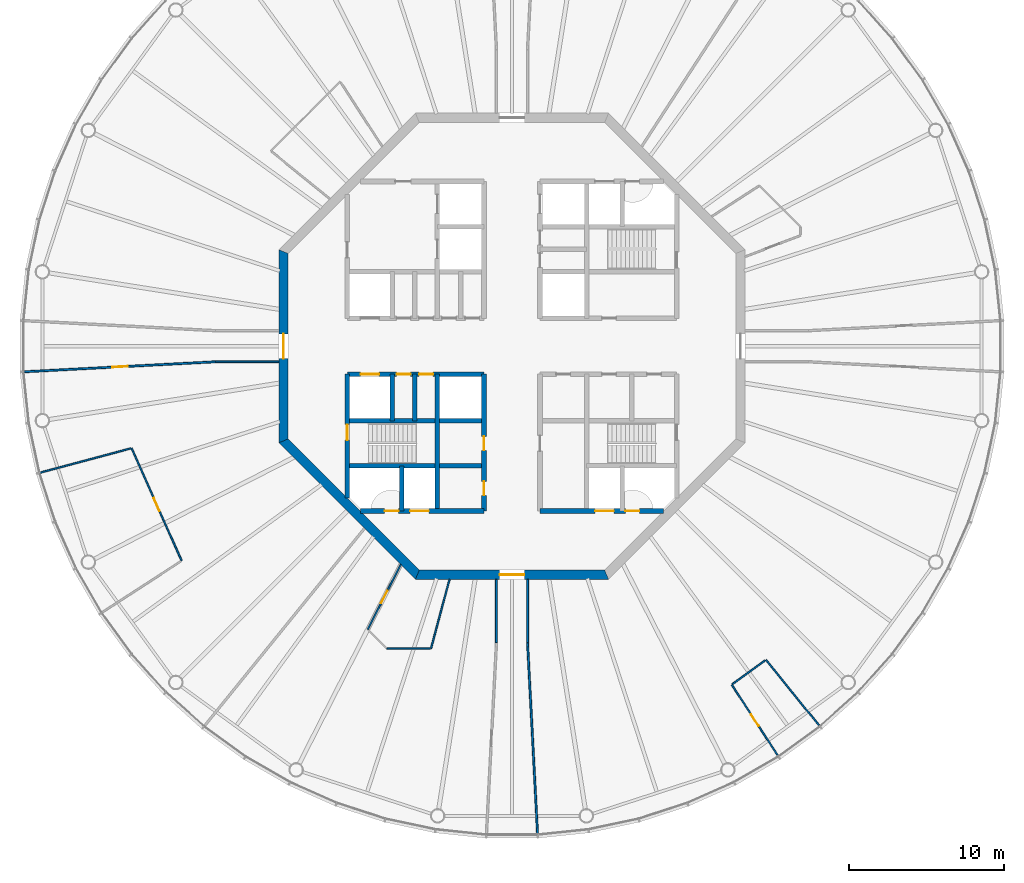
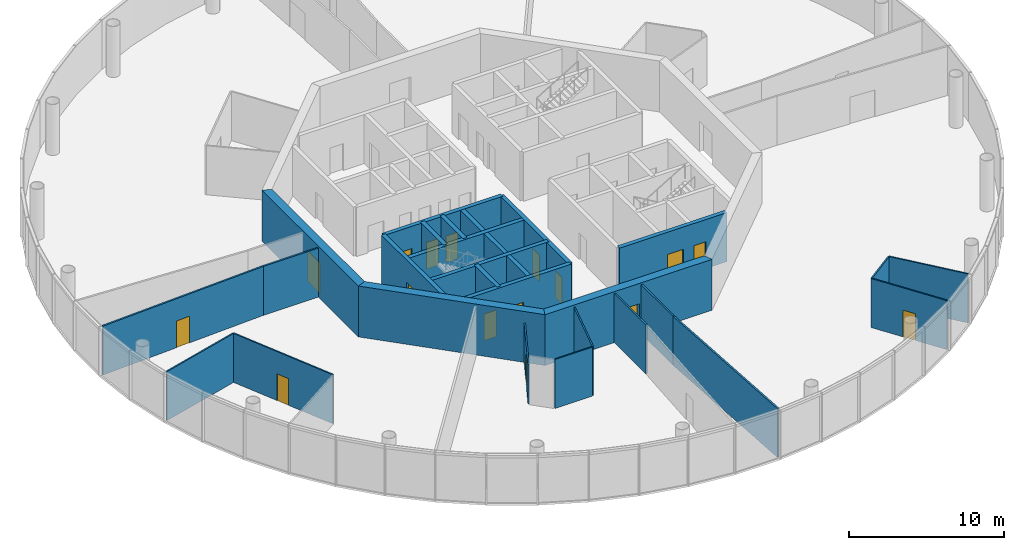
# One storey, part 3 of 13: 27 walls, 16 doors, 16 openings.
"""IFC4 building model written with IfcOpenShell, lengths in metres."""

from ifc_helpers import new_model, si_unit, direction, frame, frame_2d, origin, place, context, subcontext, project, spatial, polyline, rectangle, outline, extrude, material, layer, layer_set, type_object, element, fill, save


model = new_model("IFC4")

# Units and contexts
model_context = context("Model", 3, precision=1e-05, world=origin(), true_north=direction((0.0, 1.0)))
body_context = subcontext(model_context, "Body", "Model", "MODEL_VIEW")
ifc_project = project(units=[si_unit("LENGTHUNIT", "METRE"), si_unit("AREAUNIT", "SQUARE_METRE"), si_unit("VOLUMEUNIT", "CUBIC_METRE"), si_unit("PLANEANGLEUNIT", "RADIAN"), si_unit("MASSUNIT", "GRAM", prefix="KILO")], contexts=[model_context])

# Site, building, storey
site_placement = place(None, origin())
site = spatial("IfcSite", under=ifc_project, at=site_placement, CompositionType="ELEMENT")
building_placement = place(site_placement, origin())
building = spatial("IfcBuilding", under=site, at=building_placement, Name="Entoto Ring Tower", CompositionType="ELEMENT")
storey_placement = place(building_placement, frame((0.0, 0.0, 376.0)))
storey = spatial("IfcBuildingStorey", under=building, at=storey_placement, Name="L87", CompositionType="ELEMENT", Elevation=376.0)

# Wall, openings, doors
ifc_material_1 = material(Name="Concrete C40/50", Category="concrete")
ifc_layer_1 = layer(ifc_material_1, 0.300048828125)
ifc_layer_set_1 = layer_set([ifc_layer_1], Name="Concrete C40/50")
wall_type_1 = type_object("IfcWallType", Name="Core enclosure wall 300 mm reinforced concrete", PredefinedType="SOLIDWALL", material=ifc_layer_set_1)
wall_1_placement = place(storey_placement, frame((88.199951171875, 69.39990234375, 0.0), z_axis=(0.0, 0.0, 1.0), x_axis=(0.0, 1.0, 0.0)))
wall_1 = element("IfcWall", 1, at=wall_1_placement, inside=storey, type_object=wall_type_1, Name="wall-L87-010", PredefinedType="SOLIDWALL", context=body_context, shape_type="SweptSolid", body=[
    extrude(rectangle(XDim=8.800048828125, YDim=0.300048828125, at=frame_2d((4.39990234375, 0.0))), origin(), (0.0, 0.0, 1.0), 3.85009765625),
])
opening_1_placement = place(wall_1_placement, frame((3.89990234375, 0.0, 0.0)))
opening_1 = element("IfcOpeningElement", 2, at=opening_1_placement, cuts=wall_1, Name="Opening K-21", PredefinedType="OPENING", context=body_context, shape_type="SweptSolid", body=[
    extrude(rectangle(XDim=0.89990234375, YDim=2.10009765625, at=frame_2d((0.449951171875, 1.050048828125))), frame((0.0, 0.16015625, 0.0), z_axis=(0.0, -1.0, 0.0), x_axis=(1.0, 0.0, 0.0)), (0.0, 0.0, 1.0), 0.320068359375),
])
opening_2_placement = place(wall_1_placement, frame((1.0, 0.0, 0.0)))
opening_2 = element("IfcOpeningElement", 3, at=opening_2_placement, cuts=wall_1, Name="Opening K-69", PredefinedType="OPENING", context=body_context, shape_type="SweptSolid", body=[
    extrude(rectangle(XDim=0.89990234375, YDim=2.10009765625, at=frame_2d((0.449951171875, 1.050048828125))), frame((0.0, 0.16015625, 0.0), z_axis=(0.0, -1.0, 0.0), x_axis=(1.0, 0.0, 0.0)), (0.0, 0.0, 1.0), 0.320068359375),
])
ifc_material_2 = material(Name="Steel door leaf, fire rated", Category="steel")
ifc_layer_2 = layer(ifc_material_2, 0.050048828125)
ifc_layer_set_2 = layer_set([ifc_layer_2], Name="Steel door leaf, fire rated")
door_type_1 = type_object("IfcDoorType", Name="Core door 900 x 2100 single leaf", OperationType="NOTDEFINED", PredefinedType="DOOR", material=ifc_layer_set_2)
door_1_placement = place(opening_1_placement, origin())
door_1 = element("IfcDoor", 4, at=door_1_placement, inside=storey, type_object=door_type_1, Name="Door K-21", OperationType="SINGLE_SWING_RIGHT", OverallHeight=2.10009765625, OverallWidth=0.89990234375, PredefinedType="DOOR", context=body_context, shape_type="SweptSolid", body=[
    extrude(rectangle(XDim=0.89990234375, YDim=2.10009765625, at=frame_2d((0.449951171875, 1.050048828125))), frame((0.0, 0.02490234375, 0.0), z_axis=(0.0, -1.0, 0.0), x_axis=(1.0, 0.0, 0.0)), (0.0, 0.0, 1.0), 0.050048828125),
])
fill(opening_1, door_1)
door_2_placement = place(opening_2_placement, origin())
door_2 = element("IfcDoor", 5, at=door_2_placement, inside=storey, type_object=door_type_1, Name="Door K-69", OperationType="SINGLE_SWING_RIGHT", OverallHeight=2.10009765625, OverallWidth=0.89990234375, PredefinedType="DOOR", context=body_context, shape_type="SweptSolid", body=[
    extrude(rectangle(XDim=0.89990234375, YDim=2.10009765625, at=frame_2d((0.449951171875, 1.050048828125))), frame((0.0, 0.02490234375, 0.0), z_axis=(0.0, -1.0, 0.0), x_axis=(1.0, 0.0, 0.0)), (0.0, 0.0, 1.0), 0.050048828125),
])
fill(opening_2, door_2)

# Walls
wall_2_placement = place(storey_placement, frame((85.199951171875, 69.39990234375, 0.0), z_axis=(0.0, 0.0, 1.0), x_axis=(0.0, 1.0, 0.0)))
element("IfcWall", 6, at=wall_2_placement, inside=storey, type_object=wall_type_1, Name="wall-L87-013", PredefinedType="SOLIDWALL", context=body_context, shape_type="SweptSolid", body=[
    extrude(rectangle(XDim=8.800048828125, YDim=0.300048828125, at=frame_2d((4.39990234375, 0.0))), origin(), (0.0, 0.0, 1.0), 3.85009765625),
])
wall_3_placement = place(storey_placement, frame((83.75, 75.199951171875, 0.0), z_axis=(0.0, 0.0, 1.0), x_axis=(0.0, 1.0, 0.0)))
element("IfcWall", 7, at=wall_3_placement, inside=storey, type_object=wall_type_1, Name="wall-L87-015", PredefinedType="SOLIDWALL", context=body_context, shape_type="SweptSolid", body=[
    extrude(rectangle(XDim=3.0, YDim=0.300048828125, at=frame_2d((1.5, 0.0))), origin(), (0.0, 0.0, 1.0), 3.85009765625),
])
wall_4_placement = place(storey_placement, frame((82.89990234375, 69.39990234375, 0.0), z_axis=(0.0, 0.0, 1.0), x_axis=(0.0, 1.0, 0.0)))
element("IfcWall", 8, at=wall_4_placement, inside=storey, type_object=wall_type_1, Name="wall-L87-017", PredefinedType="SOLIDWALL", context=body_context, shape_type="SweptSolid", body=[
    extrude(rectangle(XDim=2.900146484375, YDim=0.300048828125, at=frame_2d((1.4501953125, 0.0))), origin(), (0.0, 0.0, 1.0), 3.85009765625),
])
wall_5_placement = place(storey_placement, frame((82.300048828125, 75.199951171875, 0.0), z_axis=(0.0, 0.0, 1.0), x_axis=(0.0, 1.0, 0.0)))
element("IfcWall", 9, at=wall_5_placement, inside=storey, type_object=wall_type_1, Name="wall-L87-018", PredefinedType="SOLIDWALL", context=body_context, shape_type="SweptSolid", body=[
    extrude(rectangle(XDim=3.0, YDim=0.300048828125, at=frame_2d((1.5, 0.0))), origin(), (0.0, 0.0, 1.0), 3.85009765625),
])

# Wall, opening, door
wall_6_placement = place(storey_placement, frame((79.39990234375, 70.2353515625, 0.0), z_axis=(0.0, 0.0, 1.0), x_axis=(0.0, 1.0, 0.0)))
wall_6 = element("IfcWall", 10, at=wall_6_placement, inside=storey, type_object=wall_type_1, Name="wall-L87-020", PredefinedType="SOLIDWALL", context=body_context, shape_type="SweptSolid", body=[
    extrude(rectangle(XDim=7.964599609375, YDim=0.300048828125, at=frame_2d((3.982421875, 0.0))), origin(), (0.0, 0.0, 1.0), 3.85009765625),
])
opening_3_placement = place(wall_6_placement, frame((3.714599609375, 0.0, 0.0)))
opening_3 = element("IfcOpeningElement", 11, at=opening_3_placement, cuts=wall_6, Name="Opening K-27", PredefinedType="OPENING", context=body_context, shape_type="SweptSolid", body=[
    extrude(rectangle(XDim=1.0, YDim=2.10009765625, at=frame_2d((0.5, 1.050048828125))), frame((0.0, 0.16015625, 0.0), z_axis=(0.0, -1.0, 0.0), x_axis=(1.0, 0.0, 0.0)), (0.0, 0.0, 1.0), 0.320068359375),
])
ifc_material_3 = material(Name="Steel door leaf, fire rated", Category="steel")
ifc_layer_3 = layer(ifc_material_3, 0.050048828125)
ifc_layer_set_3 = layer_set([ifc_layer_3], Name="Steel door leaf, fire rated")
door_type_2 = type_object("IfcDoorType", Name="Fire door FD60 1000 x 2100 single leaf", OperationType="NOTDEFINED", PredefinedType="DOOR", material=ifc_layer_set_3)
door_3_placement = place(opening_3_placement, frame((1.0, 0.0, 0.0), z_axis=(0.0, 0.0, 1.0), x_axis=(-1.0, 0.0, 0.0)))
door_3 = element("IfcDoor", 12, at=door_3_placement, inside=storey, type_object=door_type_2, Name="Door K-27", OperationType="SINGLE_SWING_LEFT", OverallHeight=2.10009765625, OverallWidth=1.0, PredefinedType="DOOR", context=body_context, shape_type="SweptSolid", body=[
    extrude(rectangle(XDim=1.0, YDim=2.10009765625, at=frame_2d((0.5, 1.050048828125))), frame((0.0, 0.02490234375, 0.0), z_axis=(0.0, -1.0, 0.0), x_axis=(1.0, 0.0, 0.0)), (0.0, 0.0, 1.0), 0.050048828125),
])
fill(opening_3, door_3)

# Wall, openings, doors
wall_7_placement = place(storey_placement, frame((80.2353515625, 69.39990234375, 0.0), z_axis=(0.0, 0.0, 1.0), x_axis=(1.0, 0.0, 0.0)))
wall_7 = element("IfcWall", 13, at=wall_7_placement, inside=storey, type_object=wall_type_1, Name="wall-L87-022", PredefinedType="SOLIDWALL", context=body_context, shape_type="SweptSolid", body=[
    extrude(rectangle(XDim=7.964599609375, YDim=0.300048828125, at=frame_2d((3.982421875, 0.0))), origin(), (0.0, 0.0, 1.0), 3.85009765625),
])
opening_4_placement = place(wall_7_placement, frame((3.214599609375, 0.0, 0.0)))
opening_4 = element("IfcOpeningElement", 14, at=opening_4_placement, cuts=wall_7, Name="Opening LD", PredefinedType="OPENING", context=body_context, shape_type="SweptSolid", body=[
    extrude(rectangle(XDim=1.199951171875, YDim=2.10009765625, at=frame_2d((0.60009765625, 1.050048828125))), frame((0.0, 0.16015625, 0.0), z_axis=(0.0, -1.0, 0.0), x_axis=(1.0, 0.0, 0.0)), (0.0, 0.0, 1.0), 0.320068359375),
])
opening_5_placement = place(wall_7_placement, frame((1.564697265625, 0.0, 0.0)))
opening_5 = element("IfcOpeningElement", 15, at=opening_5_placement, cuts=wall_7, Name="Opening K-84", PredefinedType="OPENING", context=body_context, shape_type="SweptSolid", body=[
    extrude(rectangle(XDim=0.89990234375, YDim=2.10009765625, at=frame_2d((0.449951171875, 1.050048828125))), frame((0.0, 0.16015625, 0.0), z_axis=(0.0, -1.0, 0.0), x_axis=(1.0, 0.0, 0.0)), (0.0, 0.0, 1.0), 0.320068359375),
])
ifc_material_4 = material(Name="Steel and glass door leaf", Category="steel")
ifc_layer_4 = layer(ifc_material_4, 0.050048828125)
ifc_layer_set_4 = layer_set([ifc_layer_4], Name="Steel and glass door leaf")
door_type_3 = type_object("IfcDoorType", Name="Landing door 1200 x 2100 sliding", OperationType="DOUBLE_DOOR_SLIDING", PredefinedType="DOOR", material=ifc_layer_set_4)
door_4_placement = place(opening_4_placement, origin())
door_4 = element("IfcDoor", 16, at=door_4_placement, inside=storey, type_object=door_type_3, Name="Landing door LB3-HR", OperationType="SLIDING_TO_RIGHT", OverallHeight=2.10009765625, OverallWidth=1.199951171875, PredefinedType="DOOR", context=body_context, shape_type="SweptSolid", body=[
    extrude(rectangle(XDim=1.199951171875, YDim=2.10009765625, at=frame_2d((0.60009765625, 1.050048828125))), frame((0.0, 0.02490234375, 0.0), z_axis=(0.0, -1.0, 0.0), x_axis=(1.0, 0.0, 0.0)), (0.0, 0.0, 1.0), 0.050048828125),
])
fill(opening_4, door_4)
ifc_material_5 = material(Name="Steel door leaf, fire rated", Category="steel")
ifc_layer_5 = layer(ifc_material_5, 0.050048828125)
ifc_layer_set_5 = layer_set([ifc_layer_5], Name="Steel door leaf, fire rated")
door_type_4 = type_object("IfcDoorType", Name="Riser door FD60 900 x 2100 single leaf", OperationType="NOTDEFINED", PredefinedType="DOOR", material=ifc_layer_set_5)
door_5_placement = place(opening_5_placement, origin())
door_5 = element("IfcDoor", 17, at=door_5_placement, inside=storey, type_object=door_type_4, Name="Door K-84", OperationType="SINGLE_SWING_RIGHT", OverallHeight=2.10009765625, OverallWidth=0.89990234375, PredefinedType="DOOR", context=body_context, shape_type="SweptSolid", body=[
    extrude(rectangle(XDim=0.89990234375, YDim=2.10009765625, at=frame_2d((0.449951171875, 1.050048828125))), frame((0.0, 0.02490234375, 0.0), z_axis=(0.0, -1.0, 0.0), x_axis=(1.0, 0.0, 0.0)), (0.0, 0.0, 1.0), 0.050048828125),
])
fill(opening_5, door_5)

wall_8_placement = place(storey_placement, frame((91.800048828125, 69.39990234375, 0.0), z_axis=(0.0, 0.0, 1.0), x_axis=(1.0, 0.0, 0.0)))
wall_8 = element("IfcWall", 18, at=wall_8_placement, inside=storey, type_object=wall_type_1, Name="wall-L87-023", PredefinedType="SOLIDWALL", context=body_context, shape_type="SweptSolid", body=[
    extrude(rectangle(XDim=7.964599609375, YDim=0.300048828125, at=frame_2d((3.982421875, 0.0))), origin(), (0.0, 0.0, 1.0), 3.85009765625),
])
opening_6_placement = place(wall_8_placement, frame((3.550048828125, 0.0, 0.0)))
opening_6 = element("IfcOpeningElement", 19, at=opening_6_placement, cuts=wall_8, Name="Opening LD", PredefinedType="OPENING", context=body_context, shape_type="SweptSolid", body=[
    extrude(rectangle(XDim=1.199951171875, YDim=2.10009765625, at=frame_2d((0.60009765625, 1.050048828125))), frame((0.0, 0.16015625, 0.0), z_axis=(0.0, -1.0, 0.0), x_axis=(1.0, 0.0, 0.0)), (0.0, 0.0, 1.0), 0.320068359375),
])
opening_7_placement = place(wall_8_placement, frame((5.5, 0.0, 0.0)))
opening_7 = element("IfcOpeningElement", 20, at=opening_7_placement, cuts=wall_8, Name="Opening K-85", PredefinedType="OPENING", context=body_context, shape_type="SweptSolid", body=[
    extrude(rectangle(XDim=0.89990234375, YDim=2.10009765625, at=frame_2d((0.449951171875, 1.050048828125))), frame((0.0, 0.16015625, 0.0), z_axis=(0.0, -1.0, 0.0), x_axis=(1.0, 0.0, 0.0)), (0.0, 0.0, 1.0), 0.320068359375),
])
door_6_placement = place(opening_6_placement, origin())
door_6 = element("IfcDoor", 21, at=door_6_placement, inside=storey, type_object=door_type_3, Name="Landing door LB2-HR", OperationType="SLIDING_TO_RIGHT", OverallHeight=2.10009765625, OverallWidth=1.199951171875, PredefinedType="DOOR", context=body_context, shape_type="SweptSolid", body=[
    extrude(rectangle(XDim=1.199951171875, YDim=2.10009765625, at=frame_2d((0.60009765625, 1.050048828125))), frame((0.0, 0.02490234375, 0.0), z_axis=(0.0, -1.0, 0.0), x_axis=(1.0, 0.0, 0.0)), (0.0, 0.0, 1.0), 0.050048828125),
])
fill(opening_6, door_6)
door_7_placement = place(opening_7_placement, origin())
door_7 = element("IfcDoor", 22, at=door_7_placement, inside=storey, type_object=door_type_4, Name="Door K-85", OperationType="SINGLE_SWING_LEFT", OverallHeight=2.10009765625, OverallWidth=0.89990234375, PredefinedType="DOOR", context=body_context, shape_type="SweptSolid", body=[
    extrude(rectangle(XDim=0.89990234375, YDim=2.10009765625, at=frame_2d((0.449951171875, 1.050048828125))), frame((0.0, 0.02490234375, 0.0), z_axis=(0.0, -1.0, 0.0), x_axis=(1.0, 0.0, 0.0)), (0.0, 0.0, 1.0), 0.050048828125),
])
fill(opening_7, door_7)

# Walls
for number, where, z_axis, x_axis, name in (
    (23, (79.39990234375, 72.300048828125, 0.0), (0.0, 0.0, 1.0), (1.0, 0.0, 0.0), "wall-L87-024"),
    (24, (79.39990234375, 75.199951171875, 0.0), (0.0, 0.0, 1.0), (1.0, 0.0, 0.0), "wall-L87-026"),
):
    element("IfcWall", number, at=place(storey_placement, frame(where, z_axis=z_axis, x_axis=x_axis)), inside=storey, type_object=wall_type_1, Name=name, PredefinedType="SOLIDWALL", context=body_context, shape_type="SweptSolid", body=[
        extrude(rectangle(XDim=8.800048828125, YDim=0.300048828125, at=frame_2d((4.39990234375, 0.0))), origin(), (0.0, 0.0, 1.0), 3.85009765625),
    ])

# Wall, openings, doors
wall_9_placement = place(storey_placement, frame((79.39990234375, 78.199951171875, 0.0), z_axis=(0.0, 0.0, 1.0), x_axis=(1.0, 0.0, 0.0)))
wall_9 = element("IfcWall", 25, at=wall_9_placement, inside=storey, type_object=wall_type_1, Name="wall-L87-028", PredefinedType="SOLIDWALL", context=body_context, shape_type="SweptSolid", body=[
    extrude(rectangle(XDim=8.800048828125, YDim=0.300048828125, at=frame_2d((4.39990234375, 0.0))), origin(), (0.0, 0.0, 1.0), 3.85009765625),
])
opening_8_placement = place(wall_9_placement, frame((0.85009765625, 0.0, 0.0)))
opening_8 = element("IfcOpeningElement", 26, at=opening_8_placement, cuts=wall_9, Name="Opening LD", PredefinedType="OPENING", context=body_context, shape_type="SweptSolid", body=[
    extrude(rectangle(XDim=1.199951171875, YDim=2.10009765625, at=frame_2d((0.60009765625, 1.050048828125))), frame((0.0, 0.16015625, 0.0), z_axis=(0.0, -1.0, 0.0), x_axis=(1.0, 0.0, 0.0)), (0.0, 0.0, 1.0), 0.320068359375),
])
opening_9_placement = place(wall_9_placement, frame((3.175048828125, 0.0, 0.0)))
opening_9 = element("IfcOpeningElement", 27, at=opening_9_placement, cuts=wall_9, Name="Opening K-16", PredefinedType="OPENING", context=body_context, shape_type="SweptSolid", body=[
    extrude(rectangle(XDim=0.89990234375, YDim=2.10009765625, at=frame_2d((0.449951171875, 1.050048828125))), frame((0.0, 0.16015625, 0.0), z_axis=(0.0, -1.0, 0.0), x_axis=(1.0, 0.0, 0.0)), (0.0, 0.0, 1.0), 0.320068359375),
])
opening_10_placement = place(wall_9_placement, frame((4.625, 0.0, 0.0)))
opening_10 = element("IfcOpeningElement", 28, at=opening_10_placement, cuts=wall_9, Name="Opening K-57", PredefinedType="OPENING", context=body_context, shape_type="SweptSolid", body=[
    extrude(rectangle(XDim=0.89990234375, YDim=2.10009765625, at=frame_2d((0.449951171875, 1.050048828125))), frame((0.0, 0.16015625, 0.0), z_axis=(0.0, -1.0, 0.0), x_axis=(1.0, 0.0, 0.0)), (0.0, 0.0, 1.0), 0.320068359375),
])
door_8_placement = place(opening_9_placement, frame((0.89990234375, 0.0, 0.0), z_axis=(0.0, 0.0, 1.0), x_axis=(-1.0, 0.0, 0.0)))
door_8 = element("IfcDoor", 29, at=door_8_placement, inside=storey, type_object=door_type_1, Name="Door K-16", OperationType="SINGLE_SWING_LEFT", OverallHeight=2.10009765625, OverallWidth=0.89990234375, PredefinedType="DOOR", context=body_context, shape_type="SweptSolid", body=[
    extrude(rectangle(XDim=0.89990234375, YDim=2.10009765625, at=frame_2d((0.449951171875, 1.050048828125))), frame((0.0, 0.02490234375, 0.0), z_axis=(0.0, -1.0, 0.0), x_axis=(1.0, 0.0, 0.0)), (0.0, 0.0, 1.0), 0.050048828125),
])
fill(opening_9, door_8)
door_9_placement = place(opening_10_placement, frame((0.89990234375, 0.0, 0.0), z_axis=(0.0, 0.0, 1.0), x_axis=(-1.0, 0.0, 0.0)))
door_9 = element("IfcDoor", 30, at=door_9_placement, inside=storey, type_object=door_type_1, Name="Door K-57", OperationType="SINGLE_SWING_LEFT", OverallHeight=2.10009765625, OverallWidth=0.89990234375, PredefinedType="DOOR", context=body_context, shape_type="SweptSolid", body=[
    extrude(rectangle(XDim=0.89990234375, YDim=2.10009765625, at=frame_2d((0.449951171875, 1.050048828125))), frame((0.0, 0.02490234375, 0.0), z_axis=(0.0, -1.0, 0.0), x_axis=(1.0, 0.0, 0.0)), (0.0, 0.0, 1.0), 0.050048828125),
])
fill(opening_10, door_9)
door_10_placement = place(opening_8_placement, origin())
door_10 = element("IfcDoor", 31, at=door_10_placement, inside=storey, type_object=door_type_3, Name="Landing door SH2", OperationType="SLIDING_TO_RIGHT", OverallHeight=2.10009765625, OverallWidth=1.199951171875, PredefinedType="DOOR", context=body_context, shape_type="SweptSolid", body=[
    extrude(rectangle(XDim=1.199951171875, YDim=2.10009765625, at=frame_2d((0.60009765625, 1.050048828125))), frame((0.0, 0.02490234375, 0.0), z_axis=(0.0, -1.0, 0.0), x_axis=(1.0, 0.0, 0.0)), (0.0, 0.0, 1.0), 0.050048828125),
])
fill(opening_8, door_10)

# Wall, opening, door
ifc_material_6 = material(Name="Concrete C40/50", Category="concrete")
ifc_layer_6 = layer(ifc_material_6, 0.60009765625)
ifc_layer_set_6 = layer_set([ifc_layer_6], Name="Concrete C40/50")
wall_type_2 = type_object("IfcWallType", Name="Core shear wall 600 mm reinforced concrete C40/50", PredefinedType="SHEAR", material=ifc_layer_set_6)
wall_10_placement = place(storey_placement, frame((75.300048828125, 86.0888671875, 0.0), z_axis=(0.0, 0.0, 1.0), x_axis=(0.0, -1.0, 0.0)))
wall_10 = element("IfcWall", 32, at=wall_10_placement, inside=storey, type_object=wall_type_2, Name="wall-L87-core-4", PredefinedType="SHEAR", context=body_context, shape_type="SweptSolid", body=[
    extrude(outline(polyline([(-0.124267578125, -0.300048828125), (12.302001953125, -0.300048828125), (12.053466796875, 0.300048828125), (0.124267578125, 0.300048828125), (-0.124267578125, -0.300048828125)])), origin(), (0.0, 0.0, 1.0), 4.0),
])
opening_11_placement = place(wall_10_placement, frame((5.288818359375, 0.0, 0.0)))
opening_11 = element("IfcOpeningElement", 33, at=opening_11_placement, cuts=wall_10, Name="Opening K-03", PredefinedType="OPENING", context=body_context, shape_type="SweptSolid", body=[
    extrude(rectangle(XDim=1.60009765625, YDim=2.39990234375, at=frame_2d((0.800048828125, 1.199951171875))), frame((0.0, 0.31005859375, 0.0), z_axis=(0.0, -1.0, 0.0), x_axis=(1.0, 0.0, 0.0)), (0.0, 0.0, 1.0), 0.6201171875),
])
ifc_material_7 = material(Name="Steel door leaf, fire rated", Category="steel")
ifc_layer_7 = layer(ifc_material_7, 0.050048828125)
ifc_layer_set_7 = layer_set([ifc_layer_7], Name="Steel door leaf, fire rated")
door_type_5 = type_object("IfcDoorType", Name="Entrance door FD60 1600 x 2400 double leaf", OperationType="DOUBLE_DOOR_SINGLE_SWING", PredefinedType="DOOR", material=ifc_layer_set_7)
door_11_placement = place(opening_11_placement, origin())
door_11 = element("IfcDoor", 34, at=door_11_placement, inside=storey, type_object=door_type_5, Name="Entrance door K-03", OperationType="DOUBLE_DOOR_SINGLE_SWING", OverallHeight=2.39990234375, OverallWidth=1.60009765625, PredefinedType="DOOR", context=body_context, shape_type="SweptSolid", body=[
    extrude(rectangle(XDim=1.60009765625, YDim=2.39990234375, at=frame_2d((0.800048828125, 1.199951171875))), frame((0.0, 0.02490234375, 0.0), z_axis=(0.0, -1.0, 0.0), x_axis=(1.0, 0.0, 0.0)), (0.0, 0.0, 1.0), 0.050048828125),
])
fill(opening_11, door_11)

# Wall
wall_11_placement = place(storey_placement, frame((75.300048828125, 73.9111328125, 0.0), z_axis=(0.0, 0.0, 1.0), x_axis=(0.707106781187, -0.707106781187, 0.0)))
element("IfcWall", 35, at=wall_11_placement, inside=storey, type_object=wall_type_2, Name="wall-L87-core-5", PredefinedType="SHEAR", context=body_context, shape_type="SweptSolid", body=[
    extrude(outline(polyline([(-0.124267578125, -0.300048828125), (12.30224609375, -0.300048828125), (12.0537109375, 0.300048828125), (0.124267578125, 0.300048828125), (-0.124267578125, -0.300048828125)])), origin(), (0.0, 0.0, 1.0), 4.0),
])

# Wall, opening, door
wall_12_placement = place(storey_placement, frame((83.9111328125, 65.300048828125, 0.0), z_axis=(0.0, 0.0, 1.0), x_axis=(1.0, 0.0, 0.0)))
wall_12 = element("IfcWall", 36, at=wall_12_placement, inside=storey, type_object=wall_type_2, Name="wall-L87-core-6", PredefinedType="SHEAR", context=body_context, shape_type="SweptSolid", body=[
    extrude(outline(polyline([(-0.124267578125, -0.300048828125), (12.302001953125, -0.300048828125), (12.053466796875, 0.300048828125), (0.124267578125, 0.300048828125), (-0.124267578125, -0.300048828125)])), origin(), (0.0, 0.0, 1.0), 4.0),
])
opening_12_placement = place(wall_12_placement, frame((5.288818359375, 0.0, 0.0)))
opening_12 = element("IfcOpeningElement", 37, at=opening_12_placement, cuts=wall_12, Name="Opening K-04", PredefinedType="OPENING", context=body_context, shape_type="SweptSolid", body=[
    extrude(rectangle(XDim=1.60009765625, YDim=2.39990234375, at=frame_2d((0.800048828125, 1.199951171875))), frame((0.0, 0.31005859375, 0.0), z_axis=(0.0, -1.0, 0.0), x_axis=(1.0, 0.0, 0.0)), (0.0, 0.0, 1.0), 0.6201171875),
])
door_12_placement = place(opening_12_placement, origin())
door_12 = element("IfcDoor", 38, at=door_12_placement, inside=storey, type_object=door_type_5, Name="Entrance door K-04", OperationType="DOUBLE_DOOR_SINGLE_SWING", OverallHeight=2.39990234375, OverallWidth=1.60009765625, PredefinedType="DOOR", context=body_context, shape_type="SweptSolid", body=[
    extrude(rectangle(XDim=1.60009765625, YDim=2.39990234375, at=frame_2d((0.800048828125, 1.199951171875))), frame((0.0, 0.02490234375, 0.0), z_axis=(0.0, -1.0, 0.0), x_axis=(1.0, 0.0, 0.0)), (0.0, 0.0, 1.0), 0.050048828125),
])
fill(opening_12, door_12)

ifc_material_8 = material(Name="Fire-resisting plasterboard on steel studs", Category="steel")
ifc_layer_8 = layer(ifc_material_8, 0.125)
ifc_layer_set_8 = layer_set([ifc_layer_8], Name="Fire-resisting plasterboard on steel studs")
wall_type_3 = type_object("IfcWallType", Name="Corridor wall 125 mm one-hour plasterboard on steel studs", PredefinedType="PARTITIONING", material=ifc_layer_set_8)
wall_13_placement = place(storey_placement, frame((58.60302734375, 78.3544921875, 0.0), z_axis=(0.0, 0.0, 1.0), x_axis=(0.998629289366, 0.052340638328, 0.0)))
wall_13 = element("IfcWall", 39, at=wall_13_placement, inside=storey, type_object=wall_type_3, Name="partition-L87-001", PredefinedType="PARTITIONING", context=body_context, shape_type="SweptSolid", body=[
    extrude(rectangle(XDim=12.332763671875, YDim=0.125, at=frame_2d((6.16650390625, 0.0))), origin(), (0.0, 0.0, 1.0), 3.85009765625),
])
opening_13_placement = place(wall_13_placement, frame((5.666259765625, 0.0, 0.0)))
opening_13 = element("IfcOpeningElement", 40, at=opening_13_placement, cuts=wall_13, Name="Opening A37-D06", PredefinedType="OPENING", context=body_context, shape_type="SweptSolid", body=[
    extrude(rectangle(XDim=1.0, YDim=2.10009765625, at=frame_2d((0.5, 1.050048828125))), frame((0.0, 0.072509765625, 0.0), z_axis=(0.0, -1.0, 0.0), x_axis=(1.0, 0.0, 0.0)), (0.0, 0.0, 1.0), 0.14501953125),
])
ifc_material_9 = material(Name="Fire-resisting timber door set", Category="wood")
door_type_6 = type_object("IfcDoorType", Name="Door 1000 x 2100 single leaf FD30S fire door", OperationType="NOTDEFINED", PredefinedType="DOOR", material=ifc_material_9)
door_13_placement = place(opening_13_placement, frame((1.0, 0.0, 0.0), z_axis=(0.0, 0.0, 1.0), x_axis=(-1.0, 0.0, 0.0)))
door_13 = element("IfcDoor", 41, at=door_13_placement, inside=storey, type_object=door_type_6, Name="Door A37-D06", OperationType="SINGLE_SWING_RIGHT", OverallHeight=2.10009765625, OverallWidth=1.0, PredefinedType="DOOR", context=body_context, shape_type="SweptSolid", body=[
    extrude(rectangle(XDim=1.0, YDim=2.10009765625, at=frame_2d((0.5, 1.050048828125))), frame((0.0, 0.02490234375, 0.0), z_axis=(0.0, -1.0, 0.0), x_axis=(1.0, 0.0, 0.0)), (0.0, 0.0, 1.0), 0.050048828125),
])
fill(opening_13, door_13)

# Walls
wall_14_placement = place(storey_placement, frame((91.6455078125, 48.60302734375, 0.0), z_axis=(0.0, 0.0, 1.0), x_axis=(-0.052340638328, 0.998629289366, 0.0)))
element("IfcWall", 42, at=wall_14_placement, inside=storey, type_object=wall_type_3, Name="partition-L87-006", PredefinedType="PARTITIONING", context=body_context, shape_type="SweptSolid", body=[
    extrude(rectangle(XDim=12.332763671875, YDim=0.125, at=frame_2d((6.16650390625, 0.0))), origin(), (0.0, 0.0, 1.0), 3.85009765625),
])
for number, where, z_axis, x_axis, name in (
    (43, (70.922119140625, 79.0, 0.0), (0.0, 0.0, 1.0), (1.0, 0.0, 0.0), "partition-L87-009"),
    (44, (89.0, 60.922119140625, 0.0), (0.0, 0.0, 1.0), (0.0, 1.0, 0.0), "partition-L87-011"),
    (45, (91.0, 60.922119140625, 0.0), (0.0, 0.0, 1.0), (0.0, 1.0, 0.0), "partition-L87-013"),
):
    element("IfcWall", number, at=place(storey_placement, frame(where, z_axis=z_axis, x_axis=x_axis)), inside=storey, type_object=wall_type_3, Name=name, PredefinedType="PARTITIONING", context=body_context, shape_type="SweptSolid", body=[
        extrude(rectangle(XDim=4.077880859375, YDim=0.125, at=frame_2d((2.0390625, 0.0))), origin(), (0.0, 0.0, 1.0), 3.85009765625),
    ])

# Wall, opening, door
ifc_material_10 = material(Name="Plasterboard on steel studs", Category="steel")
ifc_layer_9 = layer(ifc_material_10, 0.10009765625)
ifc_layer_set_9 = layer_set([ifc_layer_9], Name="Plasterboard on steel studs")
wall_type_4 = type_object("IfcWallType", Name="Partition 100 mm plasterboard on steel studs", PredefinedType="PARTITIONING", material=ifc_layer_set_9)
wall_15_placement = place(storey_placement, frame((68.73974609375, 66.193359375, 0.0), z_axis=(0.0, 0.0, 1.0), x_axis=(-0.406723877258, 0.913551141244, 0.0)))
wall_15 = element("IfcWall", 46, at=wall_15_placement, inside=storey, type_object=wall_type_4, Name="partition-L87-019", PredefinedType="PARTITIONING", context=body_context, shape_type="SweptSolid", body=[
    extrude(rectangle(XDim=7.93115234375, YDim=0.10009765625, at=frame_2d((3.965576171875, 0.0))), origin(), (0.0, 0.0, 1.0), 3.85009765625),
])
opening_14_placement = place(wall_15_placement, frame((3.515625, 0.0, 0.0)))
opening_14 = element("IfcOpeningElement", 47, at=opening_14_placement, cuts=wall_15, Name="Opening A37-D07", PredefinedType="OPENING", context=body_context, shape_type="SweptSolid", body=[
    extrude(rectangle(XDim=0.89990234375, YDim=2.10009765625, at=frame_2d((0.449951171875, 1.050048828125))), frame((0.0, 0.06005859375, 0.0), z_axis=(0.0, -1.0, 0.0), x_axis=(1.0, 0.0, 0.0)), (0.0, 0.0, 1.0), 0.1201171875),
])
ifc_material_11 = material(Name="Veneered timber door leaf in timber frame", Category="wood")
door_type_7 = type_object("IfcDoorType", Name="Door 900 x 2100 single leaf timber veneer", OperationType="NOTDEFINED", PredefinedType="DOOR", material=ifc_material_11)
door_14_placement = place(opening_14_placement, origin())
door_14 = element("IfcDoor", 48, at=door_14_placement, inside=storey, type_object=door_type_7, Name="Door A37-D07", OperationType="SINGLE_SWING_LEFT", OverallHeight=2.10009765625, OverallWidth=0.89990234375, PredefinedType="DOOR", context=body_context, shape_type="SweptSolid", body=[
    extrude(rectangle(XDim=0.89990234375, YDim=2.10009765625, at=frame_2d((0.449951171875, 1.050048828125))), frame((0.0, 0.02490234375, 0.0), z_axis=(0.0, -1.0, 0.0), x_axis=(1.0, 0.0, 0.0)), (0.0, 0.0, 1.0), 0.050048828125),
])
fill(opening_14, door_14)

# Wall
wall_16_placement = place(storey_placement, frame((59.63134765625, 71.86279296875, 0.0), z_axis=(0.0, 0.0, 1.0), x_axis=(0.965925681795, 0.258819584361, 0.0)))
element("IfcWall", 49, at=wall_16_placement, inside=storey, type_object=wall_type_4, Name="partition-L87-022", PredefinedType="PARTITIONING", context=body_context, shape_type="SweptSolid", body=[
    extrude(rectangle(XDim=6.040771484375, YDim=0.10009765625, at=frame_2d((3.0205078125, 0.0))), origin(), (0.0, 0.0, 1.0), 3.85009765625),
])

# Wall, opening, door
wall_17_placement = place(storey_placement, frame((107.12353515625, 53.632080078125, 0.0), z_axis=(0.0, 0.0, 1.0), x_axis=(-0.544638467322, 0.838670936609, 0.0)))
wall_17 = element("IfcWall", 50, at=wall_17_placement, inside=storey, type_object=wall_type_4, Name="partition-L87-023", PredefinedType="PARTITIONING", context=body_context, shape_type="SweptSolid", body=[
    extrude(rectangle(XDim=5.47021484375, YDim=0.10009765625, at=frame_2d((2.735107421875, 0.0))), origin(), (0.0, 0.0, 1.0), 3.85009765625),
])
opening_15_placement = place(wall_17_placement, frame((2.284912109375, 0.0, 0.0)))
opening_15 = element("IfcOpeningElement", 51, at=opening_15_placement, cuts=wall_17, Name="Opening A37-D11", PredefinedType="OPENING", context=body_context, shape_type="SweptSolid", body=[
    extrude(rectangle(XDim=0.89990234375, YDim=2.10009765625, at=frame_2d((0.449951171875, 1.050048828125))), frame((0.0, 0.06005859375, 0.0), z_axis=(0.0, -1.0, 0.0), x_axis=(1.0, 0.0, 0.0)), (0.0, 0.0, 1.0), 0.1201171875),
])
door_15_placement = place(opening_15_placement, frame((0.89990234375, 0.0, 0.0), z_axis=(0.0, 0.0, 1.0), x_axis=(-1.0, 0.0, 0.0)))
door_15 = element("IfcDoor", 52, at=door_15_placement, inside=storey, type_object=door_type_7, Name="Door A37-D11", OperationType="SINGLE_SWING_RIGHT", OverallHeight=2.10009765625, OverallWidth=0.89990234375, PredefinedType="DOOR", context=body_context, shape_type="SweptSolid", body=[
    extrude(rectangle(XDim=0.89990234375, YDim=2.10009765625, at=frame_2d((0.449951171875, 1.050048828125))), frame((0.0, 0.02490234375, 0.0), z_axis=(0.0, -1.0, 0.0), x_axis=(1.0, 0.0, 0.0)), (0.0, 0.0, 1.0), 0.050048828125),
])
fill(opening_15, door_15)

# Walls
wall_18_placement = place(storey_placement, frame((109.785888671875, 55.56640625, 0.0), z_axis=(0.0, 0.0, 1.0), x_axis=(-0.629321480457, 0.777145079271, 0.0)))
element("IfcWall", 53, at=wall_18_placement, inside=storey, type_object=wall_type_4, Name="partition-L87-024", PredefinedType="PARTITIONING", context=body_context, shape_type="SweptSolid", body=[
    extrude(rectangle(XDim=5.469970703125, YDim=0.10009765625, at=frame_2d((2.73486328125, 0.0))), origin(), (0.0, 0.0, 1.0), 3.85009765625),
])
wall_19_placement = place(storey_placement, frame((84.788330078125, 60.550048828125, 0.0), z_axis=(0.0, 0.0, 1.0), x_axis=(0.25882349852, 0.965924632989, 0.0)))
element("IfcWall", 54, at=wall_19_placement, inside=storey, type_object=wall_type_4, Name="partition-L87-028", PredefinedType="PARTITIONING", context=body_context, shape_type="SweptSolid", body=[
    extrude(rectangle(XDim=4.60693359375, YDim=0.10009765625, at=frame_2d((2.303466796875, 0.0))), origin(), (0.0, 0.0, 1.0), 3.85009765625),
])
wall_20_placement = place(storey_placement, frame((81.943603515625, 60.550048828125, 0.0), z_axis=(0.0, 0.0, 1.0), x_axis=(1.0, 0.0, 0.0)))
element("IfcWall", 55, at=wall_20_placement, inside=storey, type_object=wall_type_4, Name="partition-L87-032", PredefinedType="PARTITIONING", context=body_context, shape_type="SweptSolid", body=[
    extrude(rectangle(XDim=2.796630859375, YDim=0.10009765625, at=frame_2d((1.3984375, 0.0))), origin(), (0.0, 0.0, 1.0), 3.85009765625),
])
wall_21_placement = place(storey_placement, frame((104.184814453125, 58.2490234375, 0.0), z_axis=(0.0, 0.0, 1.0), x_axis=(0.808994068442, 0.587816805839, 0.0)))
element("IfcWall", 56, at=wall_21_placement, inside=storey, type_object=wall_type_4, Name="partition-L87-033", PredefinedType="PARTITIONING", context=body_context, shape_type="SweptSolid", body=[
    extrude(rectangle(XDim=2.6181640625, YDim=0.10009765625, at=frame_2d((1.30908203125, 0.0))), origin(), (0.0, 0.0, 1.0), 3.85009765625),
])

# Wall, opening, door
ifc_material_12 = material(Name="Plasterboard on steel studs", Category="steel")
ifc_layer_10 = layer(ifc_material_12, 0.10009765625)
ifc_layer_set_10 = layer_set([ifc_layer_10], Name="Plasterboard on steel studs")
wall_type_5 = type_object("IfcWallType", Name="Partition 100 mm plasterboard on steel studs, 3097 mm high", PredefinedType="PARTITIONING", material=ifc_layer_set_10)
wall_22_placement = place(storey_placement, frame((80.715576171875, 61.778076171875, 0.0), z_axis=(0.0, 0.0, 1.0), x_axis=(0.453963300839, 0.891020382198, 0.0)))
wall_22 = element("IfcWall", 57, at=wall_22_placement, inside=storey, type_object=wall_type_5, Name="partition-L87-027", PredefinedType="PARTITIONING", context=body_context, shape_type="SweptSolid", body=[
    extrude(rectangle(XDim=4.678955078125, YDim=0.10009765625, at=frame_2d((2.33935546875, 0.0))), origin(), (0.0, 0.0, 1.0), 3.096923828125),
])
opening_16_placement = place(wall_22_placement, frame((1.889404296875, 0.0, 0.0)))
opening_16 = element("IfcOpeningElement", 58, at=opening_16_placement, cuts=wall_22, Name="Opening A37-D09", PredefinedType="OPENING", context=body_context, shape_type="SweptSolid", body=[
    extrude(rectangle(XDim=0.89990234375, YDim=2.10009765625, at=frame_2d((0.449951171875, 1.050048828125))), frame((0.0, 0.06005859375, 0.0), z_axis=(0.0, -1.0, 0.0), x_axis=(1.0, 0.0, 0.0)), (0.0, 0.0, 1.0), 0.1201171875),
])
door_16_placement = place(opening_16_placement, frame((0.89990234375, 0.0, 0.0), z_axis=(0.0, 0.0, 1.0), x_axis=(-1.0, 0.0, 0.0)))
door_16 = element("IfcDoor", 59, at=door_16_placement, inside=storey, type_object=door_type_7, Name="Door A37-D09", OperationType="SINGLE_SWING_LEFT", OverallHeight=2.10009765625, OverallWidth=0.89990234375, PredefinedType="DOOR", context=body_context, shape_type="SweptSolid", body=[
    extrude(rectangle(XDim=0.89990234375, YDim=2.10009765625, at=frame_2d((0.449951171875, 1.050048828125))), frame((0.0, 0.02490234375, 0.0), z_axis=(0.0, -1.0, 0.0), x_axis=(1.0, 0.0, 0.0)), (0.0, 0.0, 1.0), 0.050048828125),
])
fill(opening_16, door_16)

save(model, "model.ifc")
